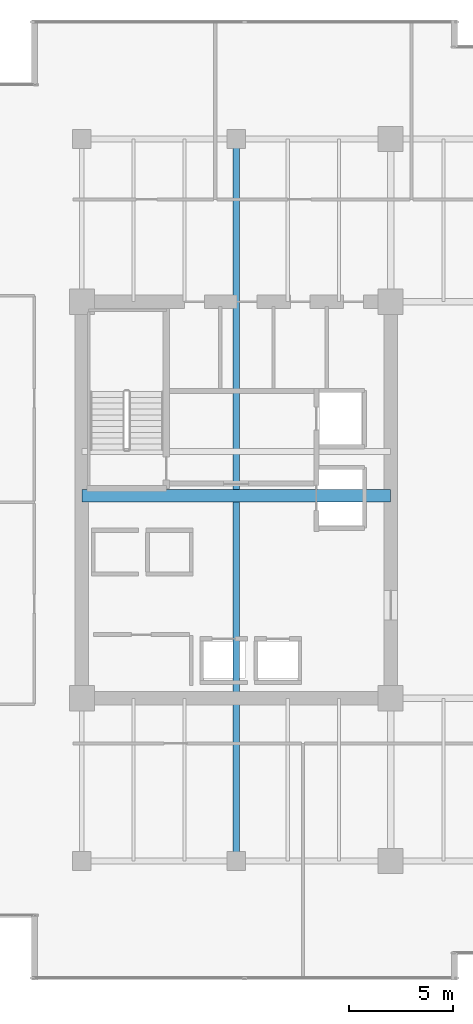
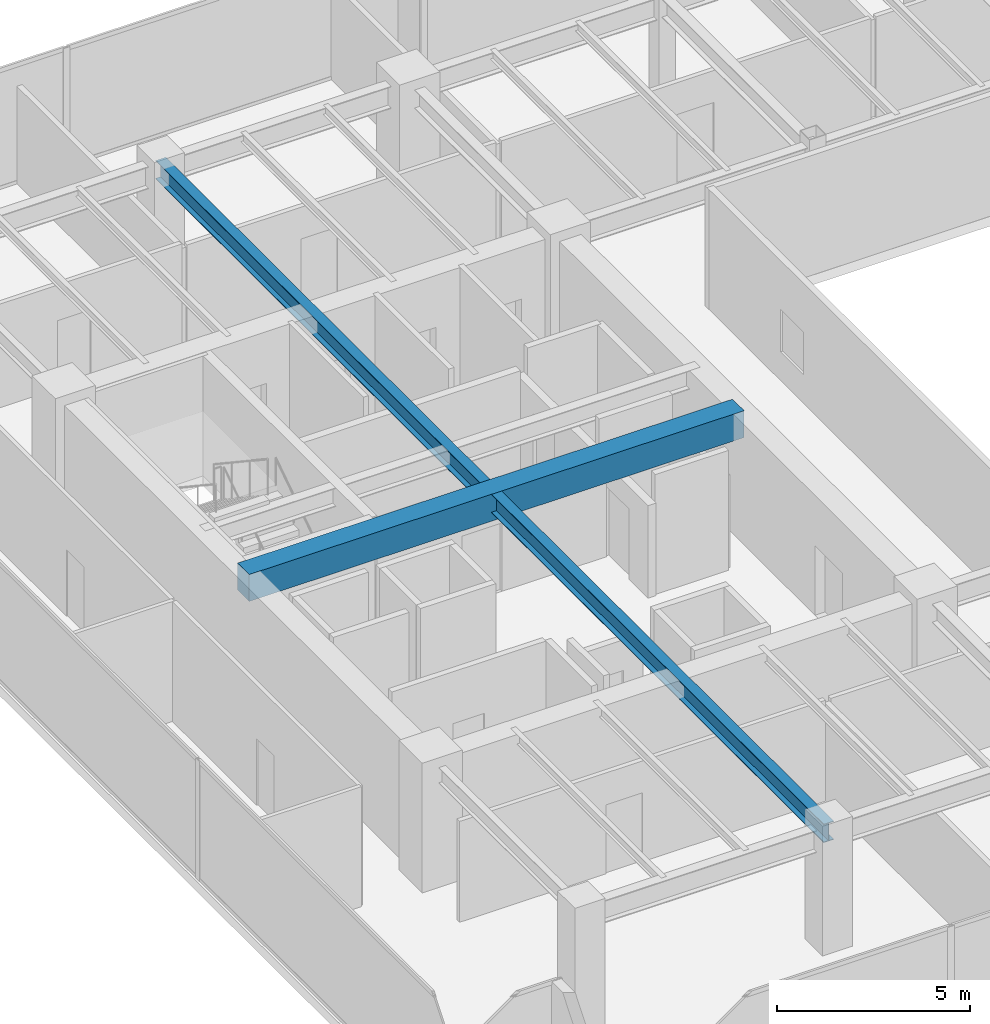
# One storey, part 7 of 30: 2 beams.
"""IFC4 building model written with IfcOpenShell, lengths in metres."""

import ifcopenshell
import ifcopenshell.guid

model = None  # the IFC model being written
_history = None  # IfcOwnerHistory: only IFC2X3 demands one
_inside = {}  # id of a spatial element -> (the spatial element, [elements in it])
_under = {}  # id of a project, library or spatial element -> (it, [spatial elements below it])
_declared = {}  # id of a project -> (the project, [libraries it declares])
_typed = {}  # id of a type object -> (the type object, [elements of that type])
_made_of = {}  # id of a material, layer set ... -> (it, [elements and type objects made of it])


def new_model(schema):
    """Start an empty IFC model of exactly this schema.

    Asked for "IFC4X3", IfcOpenShell would pick the latest addendum, in which some entities
    have other attributes; the version numbers below select the first issue.
    IFC2X3 requires an IfcOwnerHistory on every rooted entity: one is made here for all.
    """
    global model, _history
    if schema == "IFC4X3":
        model = ifcopenshell.file(schema_version=(4, 3, 0, 0))
    else:
        model = ifcopenshell.file(schema=schema)
    _inside.clear()
    _under.clear()
    _declared.clear()
    _typed.clear()
    _made_of.clear()
    _history = None
    if model.schema == "IFC2X3":
        org = make("IfcOrganization", Name="unknown")
        user = make(
            "IfcPersonAndOrganization",
            ThePerson=make("IfcPerson", FamilyName="unknown"),
            TheOrganization=org,
        )
        app = make(
            "IfcApplication",
            ApplicationDeveloper=org,
            Version="unknown",
            ApplicationFullName="unknown",
            ApplicationIdentifier="unknown",
        )
        _history = make(
            "IfcOwnerHistory",
            OwningUser=user,
            OwningApplication=app,
            ChangeAction="ADDED",
            CreationDate=0,
        )
    return model


def make(cls, **values):
    """One entity of the class cls with the attributes given. An attribute that is None is left unset."""
    return model.create_entity(
        cls, **{name: value for name, value in values.items() if value is not None}
    )


def rooted(cls, **values):
    """An entity with a GlobalId (a new one), such as an element, a storey or a relation."""
    return make(cls, GlobalId=ifcopenshell.guid.new(), OwnerHistory=_history, **values)


def si_unit(unit_type, name, prefix=None):
    """IfcSIUnit, for example si_unit("LENGTHUNIT", "METRE", prefix="MILLI")."""
    return make("IfcSIUnit", UnitType=unit_type, Prefix=prefix, Name=name)


def assignment(units):
    """IfcUnitAssignment: the units of a project."""
    return None if units is None else make("IfcUnitAssignment", Units=units)


def point(xyz):
    """IfcCartesianPoint."""
    return None if xyz is None else make("IfcCartesianPoint", Coordinates=xyz)


def direction(xyz):
    """IfcDirection."""
    return None if xyz is None else make("IfcDirection", DirectionRatios=xyz)


def frame(location, z_axis=None, x_axis=None):
    """IfcAxis2Placement3D, a coordinate frame: its origin and axes. An axis left out is left unset."""
    return make(
        "IfcAxis2Placement3D",
        Location=point(location),
        Axis=direction(z_axis),
        RefDirection=direction(x_axis),
    )


def frame_2d(location, x_axis=None):
    """IfcAxis2Placement2D, a coordinate frame in the plane: its origin and x axis."""
    return make(
        "IfcAxis2Placement2D", Location=point(location), RefDirection=direction(x_axis)
    )


def origin():
    """The frame at (0, 0, 0) with its axes left unset."""
    return frame((0.0, 0.0, 0.0))


def origin_2d():
    """The frame at (0, 0) in the plane with its x axis left unset."""
    return frame_2d((0.0, 0.0))


def place(relative_to, where):
    """IfcLocalPlacement: puts the frame where relative to a parent placement (None: the world)."""
    return make(
        "IfcLocalPlacement", PlacementRelTo=relative_to, RelativePlacement=where
    )


def context(
    kind, dimensions, precision=None, world=None, true_north=None, identifier=None
):
    """IfcGeometricRepresentationContext, for example the 3D "Model" context."""
    return make(
        "IfcGeometricRepresentationContext",
        ContextIdentifier=identifier,
        ContextType=kind,
        CoordinateSpaceDimension=dimensions,
        Precision=precision,
        WorldCoordinateSystem=world,
        TrueNorth=true_north,
    )


def subcontext(parent, identifier, kind, view, scale=None):
    """IfcGeometricRepresentationSubContext, for example "Body" below "Model"."""
    return make(
        "IfcGeometricRepresentationSubContext",
        ContextIdentifier=identifier,
        ContextType=kind,
        ParentContext=parent,
        TargetScale=scale,
        TargetView=view,
    )


def project(units=None, contexts=None):
    """IfcProject with its units and contexts."""
    return rooted(
        "IfcProject",
        Name="project",
        RepresentationContexts=contexts,
        UnitsInContext=assignment(units),
    )


def spatial(cls, under=None, at=None, **own):
    """A site, building, storey or space (cls), placed at a placement, below another one or the project."""
    s = rooted(cls, ObjectPlacement=at, **own)
    if under is not None:
        _under.setdefault(under.id(), (under, []))[1].append(s)
    return s


def profile(cls, at=None, kind="AREA", **sizes):
    """A parametric profile (cls). Its sizes go by their IFC names, for example OverallWidth=200.0."""
    return make(cls, ProfileType=kind, Position=at, **sizes)


def rectangle(**sizes):
    """IfcRectangleProfileDef."""
    return profile("IfcRectangleProfileDef", **sizes)


def i_section(**sizes):
    """IfcIShapeProfileDef."""
    return profile("IfcIShapeProfileDef", **sizes)


def extrude(swept, where, along, depth):
    """IfcExtrudedAreaSolid: the profile swept, set in the frame where, extruded along a direction by depth."""
    return make(
        "IfcExtrudedAreaSolid",
        SweptArea=swept,
        Position=where,
        ExtrudedDirection=direction(along),
        Depth=depth,
    )


def shape(context_of_items, identifier, shape_type, items):
    """IfcShapeRepresentation: the items that make up one representation, for example the "Body"."""
    return make(
        "IfcShapeRepresentation",
        ContextOfItems=context_of_items,
        RepresentationIdentifier=identifier,
        RepresentationType=shape_type,
        Items=items,
    )


def source(mapping_origin, context_of_items, identifier, shape_type, items):
    """IfcRepresentationMap: a shape defined once, which mapped items show again and again."""
    return make(
        "IfcRepresentationMap",
        MappingOrigin=mapping_origin,
        MappedRepresentation=shape(context_of_items, identifier, shape_type, items),
    )


def transform(
    local_origin,
    x_axis=None,
    y_axis=None,
    z_axis=None,
    scale=None,
    scale2=None,
    scale3=None,
    uniform=True,
):
    """IfcCartesianTransformationOperator3D, or its non-uniform kind. x_axis, y_axis, z_axis: its Axis1, 2, 3."""
    if uniform:
        return make(
            "IfcCartesianTransformationOperator3D",
            Axis1=direction(x_axis),
            Axis2=direction(y_axis),
            LocalOrigin=point(local_origin),
            Scale=scale,
            Axis3=direction(z_axis),
        )
    return make(
        "IfcCartesianTransformationOperator3DnonUniform",
        Axis1=direction(x_axis),
        Axis2=direction(y_axis),
        LocalOrigin=point(local_origin),
        Scale=scale,
        Axis3=direction(z_axis),
        Scale2=scale2,
        Scale3=scale3,
    )


def mapped(mapping_source, mapping_target):
    """IfcMappedItem: shows the shape of a source again, moved by a transform."""
    return make(
        "IfcMappedItem", MappingSource=mapping_source, MappingTarget=mapping_target
    )


def material(Name=None, Category=None):
    """IfcMaterial."""
    return make("IfcMaterial", Name=Name, Category=Category)


def material_profile(
    of_material, cross_section, Name=None, Category=None, Priority=None
):
    """IfcMaterialProfile: a cross section and its material."""
    return make(
        "IfcMaterialProfile",
        Name=Name,
        Material=of_material,
        Profile=cross_section,
        Priority=Priority,
        Category=Category,
    )


def profile_set(profiles, Name=None, composite=None):
    """IfcMaterialProfileSet."""
    return make(
        "IfcMaterialProfileSet",
        Name=Name,
        MaterialProfiles=profiles,
        CompositeProfile=composite,
    )


def made_of(thing, what):
    """Note that an element or type object is made of a material, layer set ...; save() writes the relation."""
    if what is not None:
        _made_of.setdefault(what.id(), (what, []))[1].append(thing)
    return thing


def type_object(cls, material=None, **own):
    """A type object (cls), such as IfcWallType, which elements share."""
    return made_of(rooted(cls, **own), material)


def type_shapes(of_type, sources):
    """Give a type object the sources (RepresentationMaps) that its elements show as mapped items."""
    of_type.RepresentationMaps = sources


def element(
    cls,
    number,
    at=None,
    inside=None,
    cuts=None,
    type_object=None,
    material=None,
    context=None,
    identifier="Body",
    shape_type=None,
    held_by="IfcProductDefinitionShape",
    body=None,
    shapes=None,
    **own,
):
    """One element of the class cls, such as IfcWall. Its Tag is "e" and its number.

    at: its placement. inside: the storey or other place that contains it. cuts: it is an
    opening in that element (IfcRelVoidsElement). A single representation is given by context,
    identifier, shape_type and body (its items); several are given by shapes. held_by: the class
    of the entity that holds the representations. save() writes the other relations.
    """
    e = rooted(cls, Tag="e%d" % number, ObjectPlacement=at, **own)
    if body is not None:
        shapes = [shape(context, identifier, shape_type, body)]
    if shapes is not None:
        e.Representation = make(held_by, Representations=shapes)
    if inside is not None:
        _inside.setdefault(inside.id(), (inside, []))[1].append(e)
    if cuts is not None:
        rooted(
            "IfcRelVoidsElement", RelatingBuildingElement=cuts, RelatedOpeningElement=e
        )
    if type_object is not None:
        _typed.setdefault(type_object.id(), (type_object, []))[1].append(e)
    return made_of(e, material)


def aggregate(whole, parts):
    """IfcRelAggregates: a whole, such as a stair, and the parts it consists of."""
    return rooted("IfcRelAggregates", RelatingObject=whole, RelatedObjects=parts)


def save(model, path):
    """Write the relations noted so far, then the file.

    IfcRelAggregates (storeys below a building ...), IfcRelContainedInSpatialStructure (elements
    in a storey), IfcRelDefinesByType, IfcRelAssociatesMaterial and IfcRelDeclares: one each for
    every whole, place, type object, material and project.
    """
    for whole, parts in _under.values():
        aggregate(whole, parts)
    for where, things in _inside.values():
        rooted(
            "IfcRelContainedInSpatialStructure",
            RelatedElements=things,
            RelatingStructure=where,
        )
    for kind, things in _typed.values():
        rooted("IfcRelDefinesByType", RelatedObjects=things, RelatingType=kind)
    for what, things in _made_of.values():
        rooted("IfcRelAssociatesMaterial", RelatedObjects=things, RelatingMaterial=what)
    for by, libraries in _declared.values():
        rooted("IfcRelDeclares", RelatingContext=by, RelatedDefinitions=libraries)
    model.write(path)


model = new_model("IFC4")

# Units and contexts
model_context = context("Model", 3, precision=1e-05, world=origin(), true_north=direction((0.0, 1.0)))
body_context = subcontext(model_context, "Body", "Model", "MODEL_VIEW")
ifc_project = project(units=[si_unit("LENGTHUNIT", "METRE"), si_unit("AREAUNIT", "SQUARE_METRE"), si_unit("VOLUMEUNIT", "CUBIC_METRE"), si_unit("PLANEANGLEUNIT", "RADIAN"), si_unit("MASSUNIT", "GRAM", prefix="KILO")], contexts=[model_context])

# Site, building, storey
site_placement = place(None, origin())
site = spatial("IfcSite", under=ifc_project, at=site_placement, CompositionType="ELEMENT")
building_placement = place(site_placement, origin())
building = spatial("IfcBuilding", under=site, at=building_placement, Name="Haelvirn Gate Laboratories", CompositionType="ELEMENT")
storey_placement = place(building_placement, frame((0.0, 0.0, 170.699951171875)))
storey = spatial("IfcBuildingStorey", under=building, at=storey_placement, Name="L41", CompositionType="ELEMENT", Elevation=170.699951171875)

# Beams
ifc_material_1 = material(Name="Steel SM355", Category="steel")
ifc_material_profile_1 = material_profile(ifc_material_1, i_section(OverallWidth=0.300048828125, OverallDepth=0.587890625, WebThickness=0.011962890625, FlangeThickness=0.02001953125, at=origin_2d()), Name="H-588x300x12x20")
ifc_profile_set_1 = profile_set([ifc_material_profile_1], Name="Steel SM355")
beam_type_1 = type_object("IfcBeamType", Name="BM-G-588", PredefinedType="BEAM", material=ifc_profile_set_1)
shared_shape_1 = source(origin(), body_context, "Body", "SweptSolid", [
    extrude(i_section(OverallWidth=0.300048828125, OverallDepth=0.587890625, WebThickness=0.011962890625, FlangeThickness=0.02001953125, at=origin_2d()), origin(), (0.0, 0.0, 1.0), 34.60009765625),
])
type_shapes(beam_type_1, [shared_shape_1])
beam_1_placement = place(storey_placement, frame((14.800048828125, 7.0, 3.49609375), z_axis=(0.0, 1.0, 0.0), x_axis=(-1.0, 0.0, 0.0)))
element("IfcBeam", 1, at=beam_1_placement, inside=storey, type_object=beam_type_1, Name="L41 Frame Girder X14.8 (7.0-41.6)", PredefinedType="BEAM", context=body_context, shape_type="MappedRepresentation", body=[
    mapped(shared_shape_1, transform((0.0, 0.0, 0.0), scale=1.0)),
])
ifc_material_2 = material(Name="Concrete C50/60", Category="concrete")
ifc_material_profile_2 = material_profile(ifc_material_2, rectangle(XDim=0.60009765625, YDim=0.85009765625, at=origin_2d()), Name="RCB-600x850")
ifc_profile_set_2 = profile_set([ifc_material_profile_2], Name="Concrete C50/60")
beam_type_2 = type_object("IfcBeamType", Name="BM-RCB-850", PredefinedType="LINTEL", material=ifc_profile_set_2)
shared_shape_2 = source(origin(), body_context, "Body", "SweptSolid", [
    extrude(rectangle(XDim=0.60009765625, YDim=0.85009765625, at=origin_2d()), origin(), (0.0, 0.0, 1.0), 14.800048828125),
])
type_shapes(beam_type_2, [shared_shape_2])
beam_2_placement = place(storey_placement, frame((7.39990234375, 24.5, 3.364990234375), z_axis=(1.0, 0.0, 0.0), x_axis=(0.0, 1.0, 0.0)))
element("IfcBeam", 2, at=beam_2_placement, inside=storey, type_object=beam_type_2, Name="L41 West Core Coupling Beam", PredefinedType="LINTEL", context=body_context, shape_type="MappedRepresentation", body=[
    mapped(shared_shape_2, transform((0.0, 0.0, 0.0), scale=1.0)),
])

save(model, "model.ifc")
